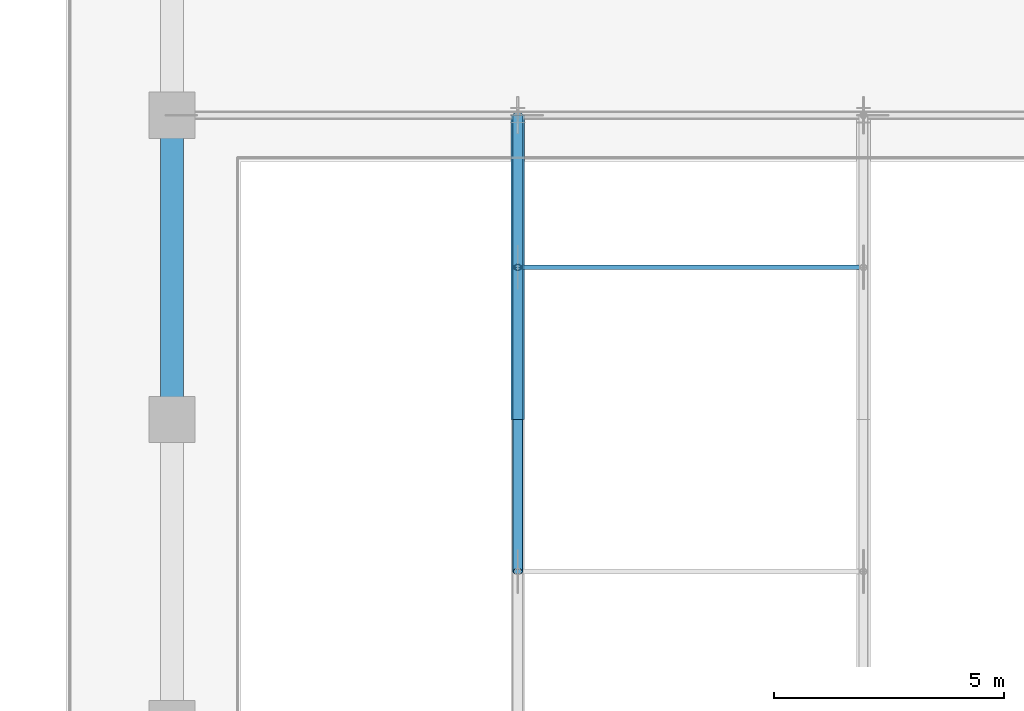
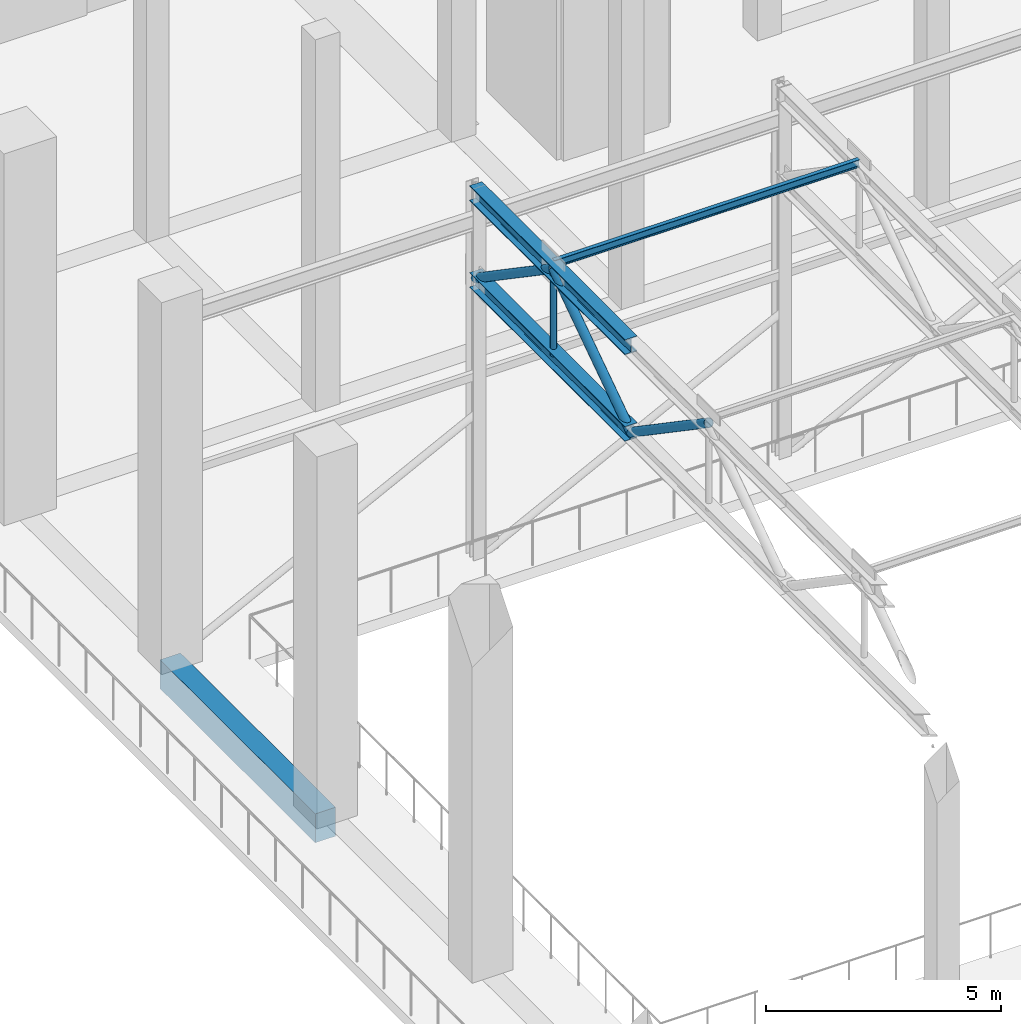
# One storey, part 31 of 80: 7 members, 1 beam.
"""IFC4 building model written with IfcOpenShell, lengths in metres."""

from ifc_helpers import new_model, si_unit, direction, frame, origin, origin_2d, place, context, subcontext, project, spatial, rectangle, hollow_circle, i_section, extrude, material, material_profile, profile_set, type_object, element, save


model = new_model("IFC4")

# Units and contexts
model_context = context("Model", 3, precision=1e-05, world=origin(), true_north=direction((0.0, 1.0)))
body_context = subcontext(model_context, "Body", "Model", "MODEL_VIEW")
ifc_project = project(units=[si_unit("LENGTHUNIT", "METRE"), si_unit("AREAUNIT", "SQUARE_METRE"), si_unit("VOLUMEUNIT", "CUBIC_METRE"), si_unit("PLANEANGLEUNIT", "RADIAN"), si_unit("MASSUNIT", "GRAM", prefix="KILO")], contexts=[model_context])

# Site, building, storey
site_placement = place(None, origin())
site = spatial("IfcSite", under=ifc_project, at=site_placement, CompositionType="ELEMENT")
building_placement = place(site_placement, origin())
building = spatial("IfcBuilding", under=site, at=building_placement, Name="Akrevak Sports Hall", CompositionType="ELEMENT")
storey_placement = place(building_placement, frame((0.0, 0.0, 14.0)))
storey = spatial("IfcBuildingStorey", under=building, at=storey_placement, Name="L03", CompositionType="ELEMENT", Elevation=14.0)

# Beam
ifc_material_1 = material(Name="Concrete C40/50", Category="concrete")
ifc_material_profile_1 = material_profile(ifc_material_1, rectangle(XDim=0.5, YDim=0.75, at=origin_2d()), Name="BM 500x750", Category="concrete")
ifc_profile_set_1 = profile_set([ifc_material_profile_1], Name="Concrete C40/50")
beam_type = type_object("IfcBeamType", Name="STR-BM-RC500x750", PredefinedType="BEAM", material=ifc_profile_set_1)
beam_placement = place(storey_placement, frame((115.5, 42.0, -0.375), z_axis=(0.0, 1.0, 0.0), x_axis=(-1.0, 0.0, 0.0)))
element("IfcBeam", 1, at=beam_placement, inside=storey, type_object=beam_type, Name="Girder 16/G-H (L03)", PredefinedType="BEAM", context=body_context, shape_type="SweptSolid", body=[
    extrude(rectangle(XDim=0.5, YDim=0.75, at=origin_2d()), origin(), (0.0, 0.0, 1.0), 6.60009765625),
])

# Members
ifc_material_2 = material(Name="Steel S355", Category="steel")
ifc_material_profile_2 = material_profile(ifc_material_2, hollow_circle(Radius=0.06982421875, WallThickness=0.008056640625, at=origin_2d()), Name="CHS 139.7x8", Category="steel")
ifc_profile_set_2 = profile_set([ifc_material_profile_2], Name="Steel S355")
member_type_1 = type_object("IfcMemberType", Name="STR-MEM-BRACE-CHS139", PredefinedType="BRACE", material=ifc_profile_set_2)
member_1_placement = place(storey_placement, frame((123.0, 45.300048828125, 7.18994140625), z_axis=(0.0, 0.0, 1.0), x_axis=(1.0, 0.0, 0.0)))
element("IfcMember", 2, at=member_1_placement, inside=storey, type_object=member_type_1, Name="Roof Truss 3 Web Post 3", PredefinedType="BRACE", context=body_context, shape_type="SweptSolid", body=[
    extrude(hollow_circle(Radius=0.06982421875, WallThickness=0.008056640625, at=origin_2d()), origin(), (0.0, 0.0, 1.0), 2.25),
])
ifc_material_profile_3 = material_profile(ifc_material_2, hollow_circle(Radius=0.109619140625, WallThickness=0.010009765625, at=origin_2d()), Name="CHS 219.1x10", Category="steel")
ifc_profile_set_3 = profile_set([ifc_material_profile_3], Name="Steel S355")
member_type_2 = type_object("IfcMemberType", Name="STR-MEM-BRACE-CHS219", PredefinedType="BRACE", material=ifc_profile_set_3)
for number, where, z_axis, x_axis, name in (
    (3, (123.0, 38.699951171875, 9.43994140625), (0.0, 0.826231222393, -0.56333113454), (-1.0, 0.0, 0.0), "Roof Truss 3 Web Diagonal 2B"),
    (4, (123.0, 42.0, 7.18994140625), (0.0, 0.826231222393, 0.56333113454), (-1.0, 0.0, 0.0), "Roof Truss 3 Web Diagonal 3A"),
    (5, (123.0, 45.300048828125, 9.43994140625), (0.0, 0.826231222393, -0.56333113454), (-1.0, 0.0, 0.0), "Roof Truss 3 Web Diagonal 3B"),
):
    element("IfcMember", number, at=place(storey_placement, frame(where, z_axis=z_axis, x_axis=x_axis)), inside=storey, type_object=member_type_2, Name=name, PredefinedType="BRACE", context=body_context, shape_type="SweptSolid", body=[
        extrude(hollow_circle(Radius=0.109619140625, WallThickness=0.010009765625, at=origin_2d()), origin(), (0.0, 0.0, 1.0), 3.994140625),
    ])
ifc_material_profile_4 = material_profile(ifc_material_2, i_section(OverallWidth=0.300048828125, OverallDepth=0.389892578125, WebThickness=0.010986328125, FlangeThickness=0.01904296875, FilletRadius=0.027099609375, at=origin_2d()), Name="HEA 400", Category="steel")
ifc_profile_set_4 = profile_set([ifc_material_profile_4], Name="Steel S355")
member_type_3 = type_object("IfcMemberType", Name="STR-MEM-CHORD-HEA400", PredefinedType="CHORD", material=ifc_profile_set_4)
member_2_placement = place(storey_placement, frame((123.0, 42.0, 7.18994140625), z_axis=(0.0, 1.0, 0.0), x_axis=(-1.0, 0.0, 0.0)))
element("IfcMember", 6, at=member_2_placement, inside=storey, type_object=member_type_3, Name="Roof Truss 3 Bottom Chord 3", PredefinedType="CHORD", context=body_context, shape_type="SweptSolid", body=[
    extrude(i_section(OverallWidth=0.300048828125, OverallDepth=0.389892578125, WebThickness=0.010986328125, FlangeThickness=0.01904296875, FilletRadius=0.027099609375, at=origin_2d()), origin(), (0.0, 0.0, 1.0), 6.60009765625),
])
ifc_material_profile_5 = material_profile(ifc_material_2, i_section(OverallWidth=0.300048828125, OverallDepth=0.39990234375, WebThickness=0.013427734375, FlangeThickness=0.02392578125, FilletRadius=0.027099609375, at=origin_2d()), Name="HEB 400", Category="steel")
ifc_profile_set_5 = profile_set([ifc_material_profile_5], Name="Steel S355")
member_type_4 = type_object("IfcMemberType", Name="STR-MEM-CHORD-HEB400", PredefinedType="CHORD", material=ifc_profile_set_5)
member_3_placement = place(storey_placement, frame((123.0, 42.0, 9.43994140625), z_axis=(0.0, 1.0, 0.0), x_axis=(-1.0, 0.0, 0.0)))
element("IfcMember", 7, at=member_3_placement, inside=storey, type_object=member_type_4, Name="Roof Truss 3 Top Chord 3", PredefinedType="CHORD", context=body_context, shape_type="SweptSolid", body=[
    extrude(i_section(OverallWidth=0.300048828125, OverallDepth=0.39990234375, WebThickness=0.013427734375, FlangeThickness=0.02392578125, FilletRadius=0.027099609375, at=origin_2d()), origin(), (0.0, 0.0, 1.0), 6.60009765625),
])
ifc_material_profile_6 = material_profile(ifc_material_2, i_section(OverallWidth=0.10009765625, OverallDepth=0.199951171875, WebThickness=0.005615234375, FlangeThickness=0.008544921875, FilletRadius=0.011962890625, at=origin_2d()), Name="IPE 200", Category="steel")
ifc_profile_set_6 = profile_set([ifc_material_profile_6], Name="Steel S355")
member_type_5 = type_object("IfcMemberType", Name="STR-MEM-PUR-IPE200", PredefinedType="PURLIN", material=ifc_profile_set_6)
member_4_placement = place(storey_placement, frame((123.0, 45.300048828125, 9.570068359375), z_axis=(1.0, 0.0, 0.0), x_axis=(0.0, 1.0, 0.0)))
element("IfcMember", 8, at=member_4_placement, inside=storey, type_object=member_type_5, Name="Roof Steel Purlin PR-2.3", PredefinedType="PURLIN", context=body_context, shape_type="SweptSolid", body=[
    extrude(i_section(OverallWidth=0.10009765625, OverallDepth=0.199951171875, WebThickness=0.005615234375, FlangeThickness=0.008544921875, FilletRadius=0.011962890625, at=origin_2d()), origin(), (0.0, 0.0, 1.0), 7.5),
])

save(model, "model.ifc")
